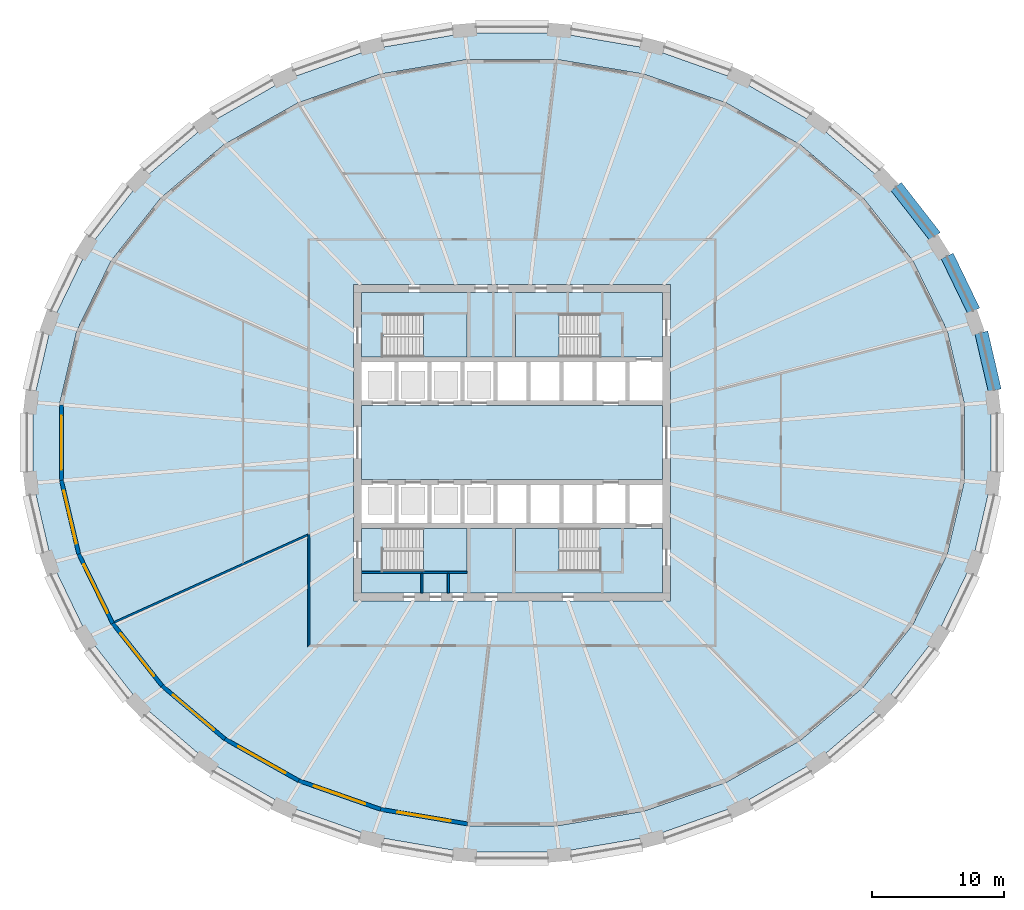
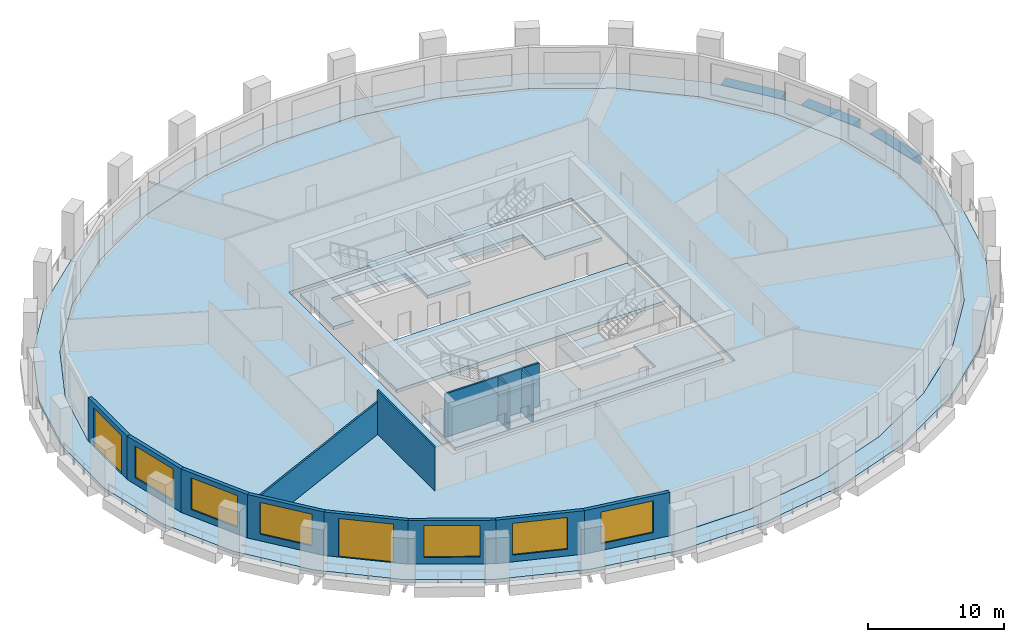
# One storey, part 2 of 10: 13 walls, 9 slabs, 6 windows, 3 beams, 2 doors, 8 openings, 4 elements without a shape of their own.
"""IFC4 building model written with IfcOpenShell, lengths in metres."""

from ifc_helpers import new_model, si_unit, direction, frame, frame_2d, origin, origin_2d, place, context, subcontext, project, spatial, polyline, rectangle, outline, extrude, material, layer, layer_set, material_profile, profile_set, type_object, element, fill, aggregate, save


model = new_model("IFC4")

# Units and contexts
model_context = context("Model", 3, precision=1e-05, world=origin(), true_north=direction((0.0, 1.0)))
body_context = subcontext(model_context, "Body", "Model", "MODEL_VIEW")
ifc_project = project(units=[si_unit("LENGTHUNIT", "METRE"), si_unit("AREAUNIT", "SQUARE_METRE"), si_unit("VOLUMEUNIT", "CUBIC_METRE"), si_unit("PLANEANGLEUNIT", "RADIAN"), si_unit("MASSUNIT", "GRAM", prefix="KILO")], contexts=[model_context])

# Site, building, storey
site_placement = place(None, origin())
site = spatial("IfcSite", under=ifc_project, at=site_placement, CompositionType="ELEMENT")
building_placement = place(site_placement, origin())
building = spatial("IfcBuilding", under=site, at=building_placement, Name="Halqa Exchange Tower", CompositionType="ELEMENT")
storey_placement = place(building_placement, frame((0.0, 0.0, 69.699951171875)))
storey = spatial("IfcBuildingStorey", under=building, at=storey_placement, Name="L15", CompositionType="ELEMENT", Elevation=69.699951171875)

# Beams
ifc_material_1 = material(Name="Concrete C60/75", Category="concrete")
ifc_material_profile = material_profile(ifc_material_1, rectangle(XDim=1.0, YDim=0.89990234375, at=origin_2d()), Name="1000 x 900")
ifc_profile_set = profile_set([ifc_material_profile], Name="Concrete C60/75")
beam_type = type_object("IfcBeamType", Name="RC spandrel beam 1000 x 900 C60/75", PredefinedType="SPANDREL", material=ifc_profile_set)
beam_1_placement = place(storey_placement, frame((36.59716796875, 3.9619140625, -0.449951171875), z_axis=(-0.226068102396, 0.974111499305, 0.0), x_axis=(-0.974111499305, -0.226068102396, 0.0)))
element("IfcBeam", 1, at=beam_1_placement, inside=storey, type_object=beam_type, Name="Spandrel 1", PredefinedType="SPANDREL", context=body_context, shape_type="SweptSolid", body=[
    extrude(rectangle(XDim=1.0, YDim=0.89990234375, at=origin_2d()), origin(), (0.0, 0.0, 1.0), 4.4990234375),
])
beam_2_placement = place(storey_placement, frame((35.0, 9.9892578125, -0.449951171875), z_axis=(-0.435081553548, 0.900391049357, 0.0), x_axis=(-0.900391049357, -0.435081553548, 0.0)))
element("IfcBeam", 2, at=beam_2_placement, inside=storey, type_object=beam_type, Name="Spandrel 2", PredefinedType="SPANDREL", context=body_context, shape_type="SweptSolid", body=[
    extrude(rectangle(XDim=1.0, YDim=0.89990234375, at=origin_2d()), origin(), (0.0, 0.0, 1.0), 4.619873046875),
])
beam_3_placement = place(storey_placement, frame((32.06884765625, 15.630859375, -0.449951171875), z_axis=(-0.614821046905, 0.788666647122, 0.0), x_axis=(-0.788666647122, -0.614821046905, 0.0)))
element("IfcBeam", 3, at=beam_3_placement, inside=storey, type_object=beam_type, Name="Spandrel 3", PredefinedType="SPANDREL", context=body_context, shape_type="SweptSolid", body=[
    extrude(rectangle(XDim=1.0, YDim=0.89990234375, at=origin_2d()), origin(), (0.0, 0.0, 1.0), 4.79736328125),
])

# Slabs
ifc_layer_1 = layer(ifc_material_1, 0.300048828125)
ifc_layer_set_1 = layer_set([ifc_layer_1], Name="Concrete C60/75")
slab_type_1 = type_object("IfcSlabType", Name="Core floor slab 300", PredefinedType="FLOOR", material=ifc_layer_set_1)
slab_1_placement = place(storey_placement, frame((0.0, 0.0, -0.300048828125)))
element("IfcSlab", 4, at=slab_1_placement, inside=storey, type_object=slab_type_1, Name="Core floor slab", PredefinedType="FLOOR", context=body_context, shape_type="SweptSolid", body=[
    extrude(outline(polyline([(-11.39990234375, 2.800048828125), (11.39990234375, 2.800048828125), (11.39990234375, -2.800048828125), (-11.39990234375, -2.800048828125), (-11.39990234375, 2.800048828125)])), origin(), (0.0, 0.0, 1.0), 0.300048828125),
])
slab_2_placement = place(storey_placement, frame((0.0, 0.0, -0.300048828125)))
element("IfcSlab", 5, at=slab_2_placement, inside=storey, type_object=slab_type_1, Name="Core floor slab", PredefinedType="FLOOR", context=body_context, shape_type="SweptSolid", body=[
    extrude(outline(polyline([(-11.39990234375, 11.39990234375), (11.39990234375, 11.39990234375), (11.39990234375, 6.5), (6.550048828125, 6.5), (6.550048828125, 9.75), (0.25, 9.75), (0.25, 6.5), (-3.39990234375, 6.5), (-3.39990234375, 9.75), (-9.699951171875, 9.75), (-9.699951171875, 6.5), (-11.39990234375, 6.5), (-11.39990234375, 11.39990234375)])), origin(), (0.0, 0.0, 1.0), 0.300048828125),
])
slab_3_placement = place(storey_placement, frame((0.0, 0.0, -0.300048828125)))
element("IfcSlab", 6, at=slab_3_placement, inside=storey, type_object=slab_type_1, Name="Core floor slab", PredefinedType="FLOOR", context=body_context, shape_type="SweptSolid", body=[
    extrude(outline(polyline([(-9.699951171875, -9.75), (-3.39990234375, -9.75), (-3.39990234375, -6.5), (0.25, -6.5), (0.25, -9.75), (6.550048828125, -9.75), (6.550048828125, -6.5), (11.39990234375, -6.5), (11.39990234375, -11.39990234375), (-11.39990234375, -11.39990234375), (-11.39990234375, -6.5), (-9.699951171875, -6.5), (-9.699951171875, -9.75)])), origin(), (0.0, 0.0, 1.0), 0.300048828125),
])
ifc_material_2 = material(Name="Concrete C40/50", Category="concrete")
ifc_layer_2 = layer(ifc_material_2, 0.300048828125)
ifc_layer_set_2 = layer_set([ifc_layer_2], Name="Concrete C40/50")
slab_type_2 = type_object("IfcSlabType", Name="RC floor slab 300", PredefinedType="FLOOR", material=ifc_layer_set_2)
slab_4_placement = place(storey_placement, frame((0.0, 0.0, -0.300048828125)))
element("IfcSlab", 7, at=slab_4_placement, inside=storey, type_object=slab_type_2, Name="Floor slab", PredefinedType="FLOOR", context=body_context, shape_type="SweptSolid", body=[
    extrude(outline(polyline([(34.30908203125, 2.86669921875), (32.986572265625, 8.48828125), (30.393798828125, 13.7802734375), (26.63330078125, 18.538330078125), (21.851806640625, 22.580810546875), (16.233642578125, 25.75439453125), (9.9951171875, 27.939208984375), (3.374755859375, 29.052490234375), (-3.374755859375, 29.052490234375), (-9.9951171875, 27.939208984375), (-16.233642578125, 25.75439453125), (-21.851806640625, 22.580810546875), (-26.63330078125, 18.538330078125), (-30.393798828125, 13.7802734375), (-32.986572265625, 8.48828125), (-34.30908203125, 2.86669921875), (-34.30908203125, -2.86669921875), (-32.986572265625, -8.48828125), (-30.393798828125, -13.7802734375), (-26.63330078125, -18.538330078125), (-21.851806640625, -22.580810546875), (-16.233642578125, -25.75439453125), (-9.9951171875, -27.939208984375), (-3.374755859375, -29.052490234375), (3.374755859375, -29.052490234375), (9.9951171875, -27.939208984375), (16.233642578125, -25.75439453125), (21.851806640625, -22.580810546875), (26.63330078125, -18.538330078125), (30.393798828125, -13.7802734375), (32.986572265625, -8.48828125), (34.30908203125, -2.86669921875), (34.30908203125, 2.86669921875)]), holes=[polyline([(-12.0, -12.0), (12.0, -12.0), (12.0, 12.0), (-12.0, 12.0), (-12.0, -12.0)])]), origin(), (0.0, 0.0, 1.0), 0.300048828125),
])
ifc_layer_3 = layer(ifc_material_2, 0.300048828125)
ifc_layer_set_3 = layer_set([ifc_layer_3], Name="Concrete C40/50")
slab_type_3 = type_object("IfcSlabType", Name="RC loggia slab 300", PredefinedType="FLOOR", material=ifc_layer_set_3)
slab_5_placement = place(storey_placement, frame((0.0, 0.0, -0.300048828125)))
element("IfcSlab", 8, at=slab_5_placement, inside=storey, type_object=slab_type_3, Name="Loggia slab", PredefinedType="FLOOR", context=body_context, shape_type="SweptSolid", body=[
    extrude(outline(polyline([(36.295654296875, 3.049072265625), (36.295654296875, -3.049072265625), (34.906982421875, -9.0322265625), (32.180908203125, -14.674072265625), (28.217529296875, -19.758056640625), (23.16650390625, -24.087646484375), (17.2197265625, -27.493408203125), (10.606201171875, -29.841552734375), (3.581787109375, -31.0390625), (-3.581787109375, -31.0390625), (-10.606201171875, -29.841552734375), (-17.2197265625, -27.493408203125), (-23.16650390625, -24.087646484375), (-28.217529296875, -19.758056640625), (-32.180908203125, -14.674072265625), (-34.906982421875, -9.0322265625), (-36.295654296875, -3.049072265625), (-36.295654296875, 3.049072265625), (-34.906982421875, 9.0322265625), (-32.180908203125, 14.674072265625), (-28.217529296875, 19.758056640625), (-23.16650390625, 24.087646484375), (-17.2197265625, 27.493408203125), (-10.606201171875, 29.841552734375), (-3.581787109375, 31.0390625), (3.581787109375, 31.0390625), (10.606201171875, 29.841552734375), (17.2197265625, 27.493408203125), (23.16650390625, 24.087646484375), (28.217529296875, 19.758056640625), (32.180908203125, 14.674072265625), (34.906982421875, 9.0322265625), (36.295654296875, 3.049072265625)]), holes=[polyline([(34.30908203125, 2.86669921875), (32.986572265625, 8.48828125), (30.393798828125, 13.7802734375), (26.63330078125, 18.538330078125), (21.851806640625, 22.580810546875), (16.233642578125, 25.75439453125), (9.9951171875, 27.939208984375), (3.374755859375, 29.052490234375), (-3.374755859375, 29.052490234375), (-9.9951171875, 27.939208984375), (-16.233642578125, 25.75439453125), (-21.851806640625, 22.580810546875), (-26.63330078125, 18.538330078125), (-30.393798828125, 13.7802734375), (-32.986572265625, 8.48828125), (-34.30908203125, 2.86669921875), (-34.30908203125, -2.86669921875), (-32.986572265625, -8.48828125), (-30.393798828125, -13.7802734375), (-26.63330078125, -18.538330078125), (-21.851806640625, -22.580810546875), (-16.233642578125, -25.75439453125), (-9.9951171875, -27.939208984375), (-3.374755859375, -29.052490234375), (3.374755859375, -29.052490234375), (9.9951171875, -27.939208984375), (16.233642578125, -25.75439453125), (21.851806640625, -22.580810546875), (26.63330078125, -18.538330078125), (30.393798828125, -13.7802734375), (32.986572265625, -8.48828125), (34.30908203125, -2.86669921875), (34.30908203125, 2.86669921875)])]), origin(), (0.0, 0.0, 1.0), 0.300048828125),
])

# Stair, slab
ifc_material_3 = material(Name="Concrete C30/37", Category="concrete")
stair_type = type_object("IfcStairType", Name="Exit stair 1500 wide", PredefinedType="HALF_TURN_STAIR", material=ifc_material_3)
stair_1_placement = place(storey_placement, origin())
stair_1 = element("IfcStair", 9, at=stair_1_placement, inside=storey, type_object=stair_type, Name="Exit stair ST1", PredefinedType="HALF_TURN_STAIR")
ifc_layer_4 = layer(ifc_material_3, 0.199951171875)
ifc_layer_set_4 = layer_set([ifc_layer_4], Name="Concrete C30/37")
slab_type_4 = type_object("IfcSlabType", Name="Stair landing 200 slab", PredefinedType="LANDING", material=ifc_layer_set_4)
slab_6_placement = place(storey_placement, frame((0.0, 0.0, 1.900146484375)))
slab_6 = element("IfcSlab", 10, at=slab_6_placement, type_object=slab_type_4, Name="ST1 landing 1", PredefinedType="LANDING", context=body_context, shape_type="SweptSolid", body=[
    extrude(outline(polyline([(-6.719970703125, 6.5), (-3.39990234375, 6.5), (-3.39990234375, 9.75), (-6.719970703125, 9.75), (-6.719970703125, 6.5)])), origin(), (0.0, 0.0, 1.0), 0.199951171875),
])
aggregate(stair_1, [slab_6])

stair_2_placement = place(storey_placement, origin())
stair_2 = element("IfcStair", 11, at=stair_2_placement, inside=storey, type_object=stair_type, Name="Exit stair ST2", PredefinedType="HALF_TURN_STAIR")
slab_7_placement = place(storey_placement, frame((0.0, 0.0, 1.900146484375)))
slab_7 = element("IfcSlab", 12, at=slab_7_placement, type_object=slab_type_4, Name="ST2 landing 1", PredefinedType="LANDING", context=body_context, shape_type="SweptSolid", body=[
    extrude(outline(polyline([(0.25, 6.5), (3.570068359375, 6.5), (3.570068359375, 9.75), (0.25, 9.75), (0.25, 6.5)])), origin(), (0.0, 0.0, 1.0), 0.199951171875),
])
aggregate(stair_2, [slab_7])

stair_3_placement = place(storey_placement, origin())
stair_3 = element("IfcStair", 13, at=stair_3_placement, inside=storey, type_object=stair_type, Name="Exit stair ST3", PredefinedType="HALF_TURN_STAIR")
slab_8_placement = place(storey_placement, frame((0.0, 0.0, 1.900146484375)))
slab_8 = element("IfcSlab", 14, at=slab_8_placement, type_object=slab_type_4, Name="ST3 landing 1", PredefinedType="LANDING", context=body_context, shape_type="SweptSolid", body=[
    extrude(outline(polyline([(-6.719970703125, -9.75), (-3.39990234375, -9.75), (-3.39990234375, -6.5), (-6.719970703125, -6.5), (-6.719970703125, -9.75)])), origin(), (0.0, 0.0, 1.0), 0.199951171875),
])
aggregate(stair_3, [slab_8])

stair_4_placement = place(storey_placement, origin())
stair_4 = element("IfcStair", 15, at=stair_4_placement, inside=storey, type_object=stair_type, Name="Exit stair ST4", PredefinedType="HALF_TURN_STAIR")
slab_9_placement = place(storey_placement, frame((0.0, 0.0, 1.900146484375)))
slab_9 = element("IfcSlab", 16, at=slab_9_placement, type_object=slab_type_4, Name="ST4 landing 1", PredefinedType="LANDING", context=body_context, shape_type="SweptSolid", body=[
    extrude(outline(polyline([(0.25, -9.75), (3.570068359375, -9.75), (3.570068359375, -6.5), (0.25, -6.5), (0.25, -9.75)])), origin(), (0.0, 0.0, 1.0), 0.199951171875),
])
aggregate(stair_4, [slab_9])

# Walls
ifc_material_4 = material(Name="Fire-rated gypsum board")
ifc_layer_5 = layer(ifc_material_4, 0.14990234375)
ifc_layer_set_5 = layer_set([ifc_layer_5], Name="Fire-rated gypsum board")
wall_type_1 = type_object("IfcWallType", Name="Fire partition EI 60 150", PredefinedType="PARTITIONING", material=ifc_layer_set_5)
wall_1_placement = place(storey_placement, frame((-30.14111328125, -13.61865234375, 0.0), z_axis=(0.0, 0.0, 1.0), x_axis=(0.911338205206, 0.411658445476, 0.0)))
element("IfcWall", 17, at=wall_1_placement, inside=storey, type_object=wall_type_1, Name="L15-PWL-001", PredefinedType="PARTITIONING", context=body_context, shape_type="SweptSolid", body=[
    extrude(outline(polyline([(0.020263671875, -0.074951171875), (1.802490234375, -0.074951171875), (3.58447265625, -0.074951171875), (5.366455078125, -0.074951171875), (7.148681640625, -0.074951171875), (8.9306640625, -0.074951171875), (10.712890625, -0.074951171875), (12.494873046875, -0.074951171875), (14.277099609375, -0.074951171875), (16.05908203125, -0.074951171875), (16.10693359375, 0.03076171875), (16.1103515625, 0.029296875), (16.1103515625, 0.029296875), (16.12060546875, 0.024658203125), (16.142578125, 0.073486328125), (16.142578125, 0.074951171875), (14.354248046875, 0.074951171875), (12.56591796875, 0.074951171875), (10.777587890625, 0.074951171875), (10.777099609375, 0.07373046875), (10.7744140625, 0.074951171875), (8.978515625, 0.074951171875), (7.182861328125, 0.074951171875), (5.38720703125, 0.074951171875), (3.591552734375, 0.074951171875), (1.795654296875, 0.074951171875), (0.0, 0.074951171875), (0.0, 0.06396484375), (0.001953125, -0.001953125), (0.020263671875, -0.074951171875)])), origin(), (0.0, 0.0, 1.0), 2.91015625),
])
wall_2_placement = place(storey_placement, frame((-15.39990234375, -15.47509765625, 0.0), z_axis=(0.0, 0.0, 1.0), x_axis=(0.0, 1.0, 0.0)))
element("IfcWall", 18, at=wall_2_placement, inside=storey, type_object=wall_type_1, Name="L15-PWL-006", PredefinedType="PARTITIONING", context=body_context, shape_type="SweptSolid", body=[
    extrude(outline(polyline([(8.51513671875, 0.074951171875), (6.812255859375, 0.074951171875), (5.109130859375, 0.074951171875), (3.40625, 0.074951171875), (1.703125, 0.074951171875), (0.000244140625, 0.074951171875), (0.150146484375, -0.074951171875), (1.8232421875, -0.074951171875), (3.49609375, -0.074951171875), (5.169189453125, -0.074951171875), (6.842041015625, -0.074951171875), (8.51513671875, -0.074951171875), (8.51513671875, 0.074951171875)])), origin(), (0.0, 0.0, 1.0), 3.900146484375),
])
ifc_material_5 = material(Name="Gypsum board")
ifc_layer_6 = layer(ifc_material_5, 0.14990234375)
ifc_layer_set_6 = layer_set([ifc_layer_6], Name="Gypsum board")
wall_type_2 = type_object("IfcWallType", Name="Penthouse riser wall 150 gypsum", PredefinedType="PARTITIONING", material=ifc_layer_set_6)
for number, where, z_axis, x_axis, name in (
    (19, (-6.824951171875, -11.39990234375, 0.0), (0.0, 0.0, 1.0), (0.0, 1.0, 0.0), "Partition W6.825 S"),
    (20, (-4.824951171875, -11.39990234375, 0.0), (0.0, 0.0, 1.0), (0.0, 1.0, 0.0), "Partition W4.825 S"),
):
    element("IfcWall", number, at=place(storey_placement, frame(where, z_axis=z_axis, x_axis=x_axis)), inside=storey, type_object=wall_type_2, Name=name, PredefinedType="PARTITIONING", context=body_context, shape_type="SweptSolid", body=[
        extrude(rectangle(XDim=1.5, YDim=0.14990234375, at=frame_2d((0.75, 0.0))), origin(), (0.0, 0.0, 1.0), 3.900146484375),
    ])
ifc_layer_7 = layer(ifc_material_3, 0.14990234375)
ifc_layer_set_7 = layer_set([ifc_layer_7], Name="Concrete C30/37")
wall_type_3 = type_object("IfcWallType", Name="RC stair wall 150 C30/37", PredefinedType="SHEAR", material=ifc_layer_set_7)
wall_3_placement = place(storey_placement, frame((-11.39990234375, -9.824951171875, 0.0), z_axis=(0.0, 0.0, 1.0), x_axis=(1.0, 0.0, 0.0)))
element("IfcWall", 21, at=wall_3_placement, inside=storey, type_object=wall_type_3, Name="Stair ST1 north wall S", PredefinedType="SHEAR", context=body_context, shape_type="SweptSolid", body=[
    extrude(rectangle(XDim=8.0, YDim=0.14990234375, at=frame_2d((4.0, 0.0))), origin(), (0.0, 0.0, 1.0), 3.900146484375),
])

# Wall, opening, door
ifc_material_6 = material(Name="Limestone cladding", Category="masonry")
ifc_layer_8 = layer(ifc_material_6, 0.0400390625)
ifc_material_7 = material(Name="Ventilated cavity")
ifc_layer_9 = layer(ifc_material_7, 0.030029296875, ventilated=True)
ifc_material_8 = material(Name="Mineral wool insulation")
ifc_layer_10 = layer(ifc_material_8, 0.10009765625)
ifc_layer_11 = layer(ifc_material_3, 0.10009765625)
ifc_material_9 = material(Name="Internal plaster")
ifc_layer_12 = layer(ifc_material_9, 0.030029296875)
ifc_layer_set_8 = layer_set([ifc_layer_8, ifc_layer_9, ifc_layer_10, ifc_layer_11, ifc_layer_12], Name="Stone-faced insulated wall 300")
wall_type_4 = type_object("IfcWallType", Name="Stone-faced insulated wall 300", PredefinedType="STANDARD", material=ifc_layer_set_8)
wall_4_placement = place(storey_placement, frame((-34.1591796875, 2.849365234375, 0.0), z_axis=(0.0, 0.0, 1.0), x_axis=(0.0, -1.0, 0.0)))
wall_4 = element("IfcWall", 22, at=wall_4_placement, inside=storey, type_object=wall_type_4, Name="Glass-line wall 16", PredefinedType="STANDARD", context=body_context, shape_type="SweptSolid", body=[
    extrude(outline(polyline([(-0.017333984375, -0.14990234375), (5.716064453125, -0.14990234375), (5.681396484375, 0.14990234375), (0.017333984375, 0.14990234375), (-0.017333984375, -0.14990234375)])), origin(), (0.0, 0.0, 1.0), 3.900146484375),
])
opening_1_placement = place(wall_4_placement, frame((0.79931640625, 0.0, 0.0)))
opening_1 = element("IfcOpeningElement", 23, at=opening_1_placement, cuts=wall_4, Name="Opening LG-F1-04", PredefinedType="OPENING", context=body_context, shape_type="SweptSolid", body=[
    extrude(rectangle(XDim=4.10009765625, YDim=3.449951171875, at=frame_2d((2.050048828125, 1.72509765625))), frame((0.0, 0.162109375, 0.0), z_axis=(0.0, -1.0, 0.0), x_axis=(1.0, 0.0, 0.0)), (0.0, 0.0, 1.0), 0.323974609375),
])
ifc_material_10 = material(Name="Clear low-emissivity glass in aluminium frame", Category="aluminium")
door_type = type_object("IfcDoorType", Name="Glazed sliding loggia door 4100 x 3450", OperationType="DOUBLE_DOOR_SLIDING", PredefinedType="DOOR", material=ifc_material_10)
door_1_placement = place(opening_1_placement, origin())
door_1 = element("IfcDoor", 24, at=door_1_placement, inside=storey, type_object=door_type, Name="Loggia door 4", OperationType="DOUBLE_DOOR_SLIDING", OverallHeight=3.449951171875, OverallWidth=4.10009765625, PredefinedType="DOOR", context=body_context, shape_type="SweptSolid", body=[
    extrude(rectangle(XDim=4.10009765625, YDim=3.449951171875, at=frame_2d((2.050048828125, 1.72509765625))), frame((0.0, 0.02490234375, 0.0), z_axis=(0.0, -1.0, 0.0), x_axis=(1.0, 0.0, 0.0)), (0.0, 0.0, 1.0), 0.050048828125),
])
fill(opening_1, door_1)

# Wall, opening, window
wall_5_placement = place(storey_placement, frame((-34.1591796875, -2.849365234375, 0.0), z_axis=(0.0, 0.0, 1.0), x_axis=(0.22905355604, -0.973413821797, 0.0)))
wall_5 = element("IfcWall", 25, at=wall_5_placement, inside=storey, type_object=wall_type_4, Name="Glass-line wall 17", PredefinedType="STANDARD", context=body_context, shape_type="SweptSolid", body=[
    extrude(outline(polyline([(-0.017333984375, -0.14990234375), (5.757568359375, -0.14990234375), (5.723876953125, 0.14990234375), (0.017333984375, 0.14990234375), (-0.017333984375, -0.14990234375)])), origin(), (0.0, 0.0, 1.0), 3.900146484375),
])
opening_2_placement = place(wall_5_placement, frame((0.8203125, 0.0, 0.60009765625)))
opening_2 = element("IfcOpeningElement", 26, at=opening_2_placement, cuts=wall_5, Name="Opening W-F1-17", PredefinedType="OPENING", context=body_context, shape_type="SweptSolid", body=[
    extrude(rectangle(XDim=4.10009765625, YDim=2.85009765625, at=frame_2d((2.050048828125, 1.425048828125))), frame((0.0, 0.162109375, 0.0), z_axis=(0.0, -1.0, 0.0), x_axis=(1.0, 0.0, 0.0)), (0.0, 0.0, 1.0), 0.323974609375),
])
window_type = type_object("IfcWindowType", Name="Fixed clear glazed window 4100 x 2850", PartitioningType="TRIPLE_PANEL_VERTICAL", PredefinedType="WINDOW", material=ifc_material_10)
window_1_placement = place(opening_2_placement, origin())
window_1 = element("IfcWindow", 27, at=window_1_placement, inside=storey, type_object=window_type, Name="Window 1", OverallHeight=2.85009765625, OverallWidth=4.10009765625, PartitioningType="TRIPLE_PANEL_VERTICAL", PredefinedType="WINDOW", context=body_context, shape_type="SweptSolid", body=[
    extrude(rectangle(XDim=4.10009765625, YDim=2.85009765625, at=frame_2d((2.050048828125, 1.425048828125))), frame((0.0, 0.030029296875, 0.0), z_axis=(0.0, -1.0, 0.0), x_axis=(1.0, 0.0, 0.0)), (0.0, 0.0, 1.0), 0.06005859375),
])
fill(opening_2, window_1)

wall_6_placement = place(storey_placement, frame((-32.84423828125, -8.4375, 0.0), z_axis=(0.0, 0.0, 1.0), x_axis=(0.439949735177, -0.898022399786, 0.0)))
wall_6 = element("IfcWall", 28, at=wall_6_placement, inside=storey, type_object=wall_type_4, Name="Glass-line wall 18", PredefinedType="STANDARD", context=body_context, shape_type="SweptSolid", body=[
    extrude(outline(polyline([(-0.016845703125, -0.14990234375), (5.876220703125, -0.14990234375), (5.843994140625, 0.14990234375), (0.016845703125, 0.14990234375), (-0.016845703125, -0.14990234375)])), origin(), (0.0, 0.0, 1.0), 3.900146484375),
])
opening_3_placement = place(wall_6_placement, frame((0.8798828125, 0.0, 0.60009765625)))
opening_3 = element("IfcOpeningElement", 29, at=opening_3_placement, cuts=wall_6, Name="Opening W-F1-18", PredefinedType="OPENING", context=body_context, shape_type="SweptSolid", body=[
    extrude(rectangle(XDim=4.10009765625, YDim=2.85009765625, at=frame_2d((2.050048828125, 1.425048828125))), frame((0.0, 0.162109375, 0.0), z_axis=(0.0, -1.0, 0.0), x_axis=(1.0, 0.0, 0.0)), (0.0, 0.0, 1.0), 0.323974609375),
])
window_2_placement = place(opening_3_placement, origin())
window_2 = element("IfcWindow", 30, at=window_2_placement, inside=storey, type_object=window_type, Name="Window 1", OverallHeight=2.85009765625, OverallWidth=4.10009765625, PartitioningType="TRIPLE_PANEL_VERTICAL", PredefinedType="WINDOW", context=body_context, shape_type="SweptSolid", body=[
    extrude(rectangle(XDim=4.10009765625, YDim=2.85009765625, at=frame_2d((2.050048828125, 1.425048828125))), frame((0.0, 0.030029296875, 0.0), z_axis=(0.0, -1.0, 0.0), x_axis=(1.0, 0.0, 0.0)), (0.0, 0.0, 1.0), 0.06005859375),
])
fill(opening_3, window_2)

wall_7_placement = place(storey_placement, frame((-30.26611328125, -13.699951171875, 0.0), z_axis=(0.0, 0.0, 1.0), x_axis=(0.620065339223, -0.784550173727, 0.0)))
wall_7 = element("IfcWall", 31, at=wall_7_placement, inside=storey, type_object=wall_type_4, Name="Glass-line wall 19", PredefinedType="STANDARD", context=body_context, shape_type="SweptSolid", body=[
    extrude(outline(polyline([(-0.01611328125, -0.14990234375), (6.048828125, -0.14990234375), (6.0185546875, 0.14990234375), (0.01611328125, 0.14990234375), (-0.01611328125, -0.14990234375)])), origin(), (0.0, 0.0, 1.0), 3.900146484375),
])
opening_4_placement = place(wall_7_placement, frame((0.966796875, 0.0, 0.60009765625)))
opening_4 = element("IfcOpeningElement", 32, at=opening_4_placement, cuts=wall_7, Name="Opening W-F1-19", PredefinedType="OPENING", context=body_context, shape_type="SweptSolid", body=[
    extrude(rectangle(XDim=4.10009765625, YDim=2.85009765625, at=frame_2d((2.050048828125, 1.425048828125))), frame((0.0, 0.162109375, 0.0), z_axis=(0.0, -1.0, 0.0), x_axis=(1.0, 0.0, 0.0)), (0.0, 0.0, 1.0), 0.323974609375),
])
window_3_placement = place(opening_4_placement, origin())
window_3 = element("IfcWindow", 33, at=window_3_placement, inside=storey, type_object=window_type, Name="Window 1", OverallHeight=2.85009765625, OverallWidth=4.10009765625, PartitioningType="TRIPLE_PANEL_VERTICAL", PredefinedType="WINDOW", context=body_context, shape_type="SweptSolid", body=[
    extrude(rectangle(XDim=4.10009765625, YDim=2.85009765625, at=frame_2d((2.050048828125, 1.425048828125))), frame((0.0, 0.030029296875, 0.0), z_axis=(0.0, -1.0, 0.0), x_axis=(1.0, 0.0, 0.0)), (0.0, 0.0, 1.0), 0.06005859375),
])
fill(opening_4, window_3)

# Wall, opening, door
wall_8_placement = place(storey_placement, frame((-26.52490234375, -18.43359375, 0.0), z_axis=(0.0, 0.0, 1.0), x_axis=(0.763655167989, -0.645624336905, 0.0)))
wall_8 = element("IfcWall", 34, at=wall_8_placement, inside=storey, type_object=wall_type_4, Name="Glass-line wall 20", PredefinedType="STANDARD", context=body_context, shape_type="SweptSolid", body=[
    extrude(outline(polyline([(-0.01513671875, -0.14990234375), (6.246337890625, -0.14990234375), (6.218017578125, 0.14990234375), (0.01513671875, 0.14990234375), (-0.01513671875, -0.14990234375)])), origin(), (0.0, 0.0, 1.0), 3.900146484375),
])
opening_5_placement = place(wall_8_placement, frame((1.066162109375, 0.0, 0.0)))
opening_5 = element("IfcOpeningElement", 35, at=opening_5_placement, cuts=wall_8, Name="Opening LG-F1-05", PredefinedType="OPENING", context=body_context, shape_type="SweptSolid", body=[
    extrude(rectangle(XDim=4.10009765625, YDim=3.449951171875, at=frame_2d((2.050048828125, 1.72509765625))), frame((0.0, 0.162109375, 0.0), z_axis=(0.0, -1.0, 0.0), x_axis=(1.0, 0.0, 0.0)), (0.0, 0.0, 1.0), 0.323974609375),
])
door_2_placement = place(opening_5_placement, origin())
door_2 = element("IfcDoor", 36, at=door_2_placement, inside=storey, type_object=door_type, Name="Loggia door 5", OperationType="DOUBLE_DOOR_SLIDING", OverallHeight=3.449951171875, OverallWidth=4.10009765625, PredefinedType="DOOR", context=body_context, shape_type="SweptSolid", body=[
    extrude(rectangle(XDim=4.10009765625, YDim=3.449951171875, at=frame_2d((2.050048828125, 1.72509765625))), frame((0.0, 0.02490234375, 0.0), z_axis=(0.0, -1.0, 0.0), x_axis=(1.0, 0.0, 0.0)), (0.0, 0.0, 1.0), 0.050048828125),
])
fill(opening_5, door_2)

# Wall, opening, window
wall_9_placement = place(storey_placement, frame((-21.765625, -22.457275390625, 0.0), z_axis=(0.0, 0.0, 1.0), x_axis=(0.870673928577, -0.491860661262, 0.0)))
wall_9 = element("IfcWall", 37, at=wall_9_placement, inside=storey, type_object=wall_type_4, Name="Glass-line wall 21", PredefinedType="STANDARD", context=body_context, shape_type="SweptSolid", body=[
    extrude(outline(polyline([(-0.01416015625, -0.14990234375), (6.438232421875, -0.14990234375), (6.411376953125, 0.14990234375), (0.01416015625, 0.14990234375), (-0.01416015625, -0.14990234375)])), origin(), (0.0, 0.0, 1.0), 3.900146484375),
])
opening_6_placement = place(wall_9_placement, frame((1.16259765625, 0.0, 0.60009765625)))
opening_6 = element("IfcOpeningElement", 38, at=opening_6_placement, cuts=wall_9, Name="Opening W-F1-21", PredefinedType="OPENING", context=body_context, shape_type="SweptSolid", body=[
    extrude(rectangle(XDim=4.10009765625, YDim=2.85009765625, at=frame_2d((2.050048828125, 1.425048828125))), frame((0.0, 0.162109375, 0.0), z_axis=(0.0, -1.0, 0.0), x_axis=(1.0, 0.0, 0.0)), (0.0, 0.0, 1.0), 0.323974609375),
])
window_4_placement = place(opening_6_placement, origin())
window_4 = element("IfcWindow", 39, at=window_4_placement, inside=storey, type_object=window_type, Name="Window 1", OverallHeight=2.85009765625, OverallWidth=4.10009765625, PartitioningType="TRIPLE_PANEL_VERTICAL", PredefinedType="WINDOW", context=body_context, shape_type="SweptSolid", body=[
    extrude(rectangle(XDim=4.10009765625, YDim=2.85009765625, at=frame_2d((2.050048828125, 1.425048828125))), frame((0.0, 0.030029296875, 0.0), z_axis=(0.0, -1.0, 0.0), x_axis=(1.0, 0.0, 0.0)), (0.0, 0.0, 1.0), 0.06005859375),
])
fill(opening_6, window_4)

wall_10_placement = place(storey_placement, frame((-16.171630859375, -25.617431640625, 0.0), z_axis=(0.0, 0.0, 1.0), x_axis=(0.94380689486, -0.330497420889, 0.0)))
wall_10 = element("IfcWall", 40, at=wall_10_placement, inside=storey, type_object=wall_type_4, Name="Glass-line wall 22", PredefinedType="STANDARD", context=body_context, shape_type="SweptSolid", body=[
    extrude(outline(polyline([(-0.013427734375, -0.14990234375), (6.5966796875, -0.14990234375), (6.5712890625, 0.14990234375), (0.013427734375, 0.14990234375), (-0.013427734375, -0.14990234375)])), origin(), (0.0, 0.0, 1.0), 3.900146484375),
])
opening_7_placement = place(wall_10_placement, frame((1.241943359375, 0.0, 0.60009765625)))
opening_7 = element("IfcOpeningElement", 41, at=opening_7_placement, cuts=wall_10, Name="Opening W-F1-22", PredefinedType="OPENING", context=body_context, shape_type="SweptSolid", body=[
    extrude(rectangle(XDim=4.10009765625, YDim=2.85009765625, at=frame_2d((2.050048828125, 1.425048828125))), frame((0.0, 0.162109375, 0.0), z_axis=(0.0, -1.0, 0.0), x_axis=(1.0, 0.0, 0.0)), (0.0, 0.0, 1.0), 0.323974609375),
])
window_5_placement = place(opening_7_placement, origin())
window_5 = element("IfcWindow", 42, at=window_5_placement, inside=storey, type_object=window_type, Name="Window 1", OverallHeight=2.85009765625, OverallWidth=4.10009765625, PartitioningType="TRIPLE_PANEL_VERTICAL", PredefinedType="WINDOW", context=body_context, shape_type="SweptSolid", body=[
    extrude(rectangle(XDim=4.10009765625, YDim=2.85009765625, at=frame_2d((2.050048828125, 1.425048828125))), frame((0.0, 0.030029296875, 0.0), z_axis=(0.0, -1.0, 0.0), x_axis=(1.0, 0.0, 0.0)), (0.0, 0.0, 1.0), 0.06005859375),
])
fill(opening_7, window_5)

wall_11_placement = place(storey_placement, frame((-9.95751953125, -27.79345703125, 0.0), z_axis=(0.0, 0.0, 1.0), x_axis=(0.986153133093, -0.165837263877, 0.0)))
wall_11 = element("IfcWall", 43, at=wall_11_placement, inside=storey, type_object=wall_type_4, Name="Glass-line wall 23", PredefinedType="STANDARD", context=body_context, shape_type="SweptSolid", body=[
    extrude(outline(polyline([(-0.0126953125, -0.14990234375), (6.700439453125, -0.14990234375), (6.675537109375, 0.14990234375), (0.0126953125, 0.14990234375), (-0.0126953125, -0.14990234375)])), origin(), (0.0, 0.0, 1.0), 3.900146484375),
])
opening_8_placement = place(wall_11_placement, frame((1.294189453125, 0.0, 0.60009765625)))
opening_8 = element("IfcOpeningElement", 44, at=opening_8_placement, cuts=wall_11, Name="Opening W-F1-23", PredefinedType="OPENING", context=body_context, shape_type="SweptSolid", body=[
    extrude(rectangle(XDim=4.10009765625, YDim=2.85009765625, at=frame_2d((2.050048828125, 1.425048828125))), frame((0.0, 0.162109375, 0.0), z_axis=(0.0, -1.0, 0.0), x_axis=(1.0, 0.0, 0.0)), (0.0, 0.0, 1.0), 0.323974609375),
])
window_6_placement = place(opening_8_placement, origin())
window_6 = element("IfcWindow", 45, at=window_6_placement, inside=storey, type_object=window_type, Name="Window 1", OverallHeight=2.85009765625, OverallWidth=4.10009765625, PartitioningType="TRIPLE_PANEL_VERTICAL", PredefinedType="WINDOW", context=body_context, shape_type="SweptSolid", body=[
    extrude(rectangle(XDim=4.10009765625, YDim=2.85009765625, at=frame_2d((2.050048828125, 1.425048828125))), frame((0.0, 0.030029296875, 0.0), z_axis=(0.0, -1.0, 0.0), x_axis=(1.0, 0.0, 0.0)), (0.0, 0.0, 1.0), 0.06005859375),
])
fill(opening_8, window_6)

save(model, "model.ifc")
